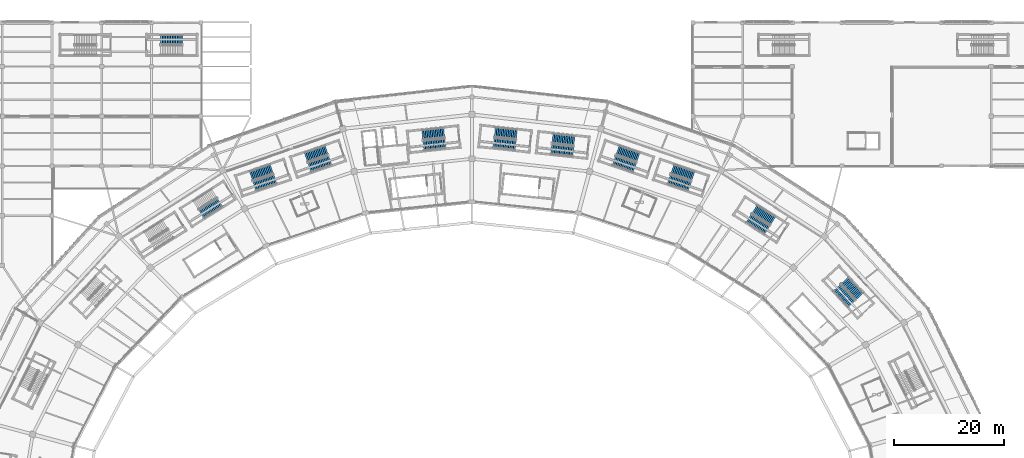
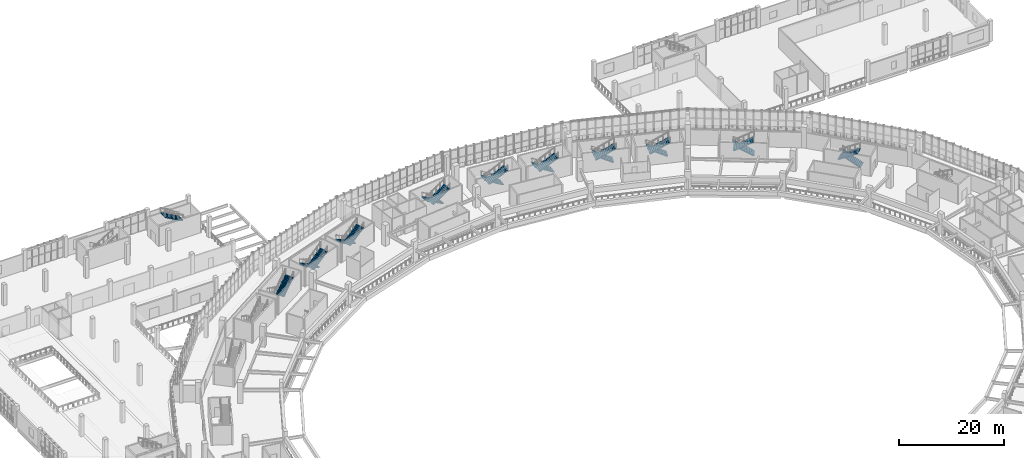
# One storey, part 117 of 179: 20 stair flights, 11 elements without a shape of their own.
"""IFC4 building model written with IfcOpenShell, lengths in metres."""

from ifc_helpers import new_model, si_unit, direction, frame, origin, place, context, subcontext, project, spatial, polyline, outline, extrude, material, type_object, element, aggregate, save


model = new_model("IFC4")

# Units and contexts
model_context = context("Model", 3, precision=1e-05, world=origin(), true_north=direction((0.0, 1.0)))
body_context = subcontext(model_context, "Body", "Model", "MODEL_VIEW")
ifc_project = project(units=[si_unit("LENGTHUNIT", "METRE"), si_unit("AREAUNIT", "SQUARE_METRE"), si_unit("VOLUMEUNIT", "CUBIC_METRE"), si_unit("PLANEANGLEUNIT", "RADIAN"), si_unit("MASSUNIT", "GRAM", prefix="KILO")], contexts=[model_context])

# Site, building, storey
site_placement = place(None, origin())
site = spatial("IfcSite", under=ifc_project, at=site_placement, CompositionType="ELEMENT")
building_placement = place(site_placement, origin())
building = spatial("IfcBuilding", under=site, at=building_placement, Name="Zevraka Park Crest Stadium", CompositionType="ELEMENT")
storey_placement = place(building_placement, frame((0.0, 0.0, 10.199951171875)))
storey = spatial("IfcBuildingStorey", under=building, at=storey_placement, Name="L02", CompositionType="ELEMENT", Elevation=10.199951171875)

# Stair, stair flights
ifc_material_1 = material(Name="Concrete C35/45", Category="concrete")
stair_type_1 = type_object("IfcStairType", Name="STA2", PredefinedType="HALF_TURN_STAIR", material=ifc_material_1)
stair_1_placement = place(storey_placement, origin())
stair_1 = element("IfcStair", 1, at=stair_1_placement, inside=storey, type_object=stair_type_1, Name="L02 Protected Concourse Exit Stair ST03", PredefinedType="HALF_TURN_STAIR")
ifc_material_2 = material(Name="Concrete C35/45", Category="concrete")
stair_flight_type_1 = type_object("IfcStairFlightType", Name="FLA2", PredefinedType="STRAIGHT", material=ifc_material_2)
stair_flight_1_placement = place(storey_placement, frame((182.212646484375, 134.396240234375, 0.0), z_axis=(0.0, 0.0, 1.0), x_axis=(-0.680255347227, 0.732975212793, 0.0)))
stair_flight_1 = element("IfcStairFlight", 2, at=stair_flight_1_placement, type_object=stair_flight_type_1, Name="ST03 flight 1", NumberOfRisers=14, NumberOfTreads=13, PredefinedType="STRAIGHT", RiserHeight=0.171428571, TreadLength=0.305, context=body_context, shape_type="SweptSolid", body=[
    extrude(outline(polyline([(0.0, 0.0), (0.0, 0.17138671875), (0.304931640625, 0.17138671875), (0.304931640625, 0.3427734375), (0.610107421875, 0.3427734375), (0.610107421875, 0.514404296875), (0.9150390625, 0.514404296875), (0.9150390625, 0.685791015625), (1.219970703125, 0.685791015625), (1.219970703125, 0.857177734375), (1.52490234375, 0.857177734375), (1.52490234375, 1.028564453125), (1.830078125, 1.028564453125), (1.830078125, 1.199951171875), (2.135009765625, 1.199951171875), (2.135009765625, 1.371337890625), (2.43994140625, 1.371337890625), (2.43994140625, 1.54296875), (2.7451171875, 1.54296875), (2.7451171875, 1.71435546875), (3.050048828125, 1.71435546875), (3.050048828125, 1.8857421875), (3.35498046875, 1.8857421875), (3.35498046875, 2.05712890625), (3.659912109375, 2.05712890625), (3.659912109375, 2.228515625), (3.965087890625, 2.228515625), (3.965087890625, 2.39990234375), (3.965087890625, 2.045166015625), (0.326416015625, 0.0), (0.0, 0.0)])), frame((0.0, 0.89990234375, 0.0), z_axis=(0.0, -1.0, 0.0), x_axis=(1.0, 0.0, 0.0)), (0.0, 0.0, 1.0), 1.800048828125),
])
stair_flight_2_placement = place(storey_placement, frame((178.078857421875, 135.96923828125, 2.400146484375), z_axis=(0.0, 0.0, 1.0), x_axis=(0.680255347227, -0.732975212793, 0.0)))
stair_flight_2 = element("IfcStairFlight", 3, at=stair_flight_2_placement, type_object=stair_flight_type_1, Name="ST03 flight 2", NumberOfRisers=14, NumberOfTreads=13, PredefinedType="STRAIGHT", RiserHeight=0.171428571, TreadLength=0.305, context=body_context, shape_type="SweptSolid", body=[
    extrude(outline(polyline([(0.0, 0.0), (0.0, 0.17138671875), (0.304931640625, 0.17138671875), (0.304931640625, 0.3427734375), (0.610107421875, 0.3427734375), (0.610107421875, 0.514404296875), (0.9150390625, 0.514404296875), (0.9150390625, 0.685791015625), (1.219970703125, 0.685791015625), (1.219970703125, 0.857177734375), (1.52490234375, 0.857177734375), (1.52490234375, 1.028564453125), (1.830078125, 1.028564453125), (1.830078125, 1.199951171875), (2.135009765625, 1.199951171875), (2.135009765625, 1.371337890625), (2.43994140625, 1.371337890625), (2.43994140625, 1.54296875), (2.7451171875, 1.54296875), (2.7451171875, 1.71435546875), (3.050048828125, 1.71435546875), (3.050048828125, 1.8857421875), (3.35498046875, 1.8857421875), (3.35498046875, 2.05712890625), (3.659912109375, 2.05712890625), (3.659912109375, 2.228515625), (3.965087890625, 2.228515625), (3.965087890625, 2.39990234375), (3.965087890625, 2.045166015625), (0.326416015625, 0.0), (0.0, 0.0)])), frame((0.0, 0.89990234375, 0.0), z_axis=(0.0, -1.0, 0.0), x_axis=(1.0, 0.0, 0.0)), (0.0, 0.0, 1.0), 1.800048828125),
])
aggregate(stair_1, [stair_flight_1, stair_flight_2])

stair_2_placement = place(storey_placement, origin())
stair_2 = element("IfcStair", 4, at=stair_2_placement, inside=storey, type_object=stair_type_1, Name="L02 Protected Concourse Exit Stair ST04", PredefinedType="HALF_TURN_STAIR")
stair_flight_3_placement = place(storey_placement, frame((166.5029296875, 148.060302734375, 0.0), z_axis=(0.0, 0.0, 1.0), x_axis=(-0.844397122829, 0.535717741874, 0.0)))
stair_flight_3 = element("IfcStairFlight", 5, at=stair_flight_3_placement, type_object=stair_flight_type_1, Name="ST04 flight 1", NumberOfRisers=14, NumberOfTreads=13, PredefinedType="STRAIGHT", RiserHeight=0.171428571, TreadLength=0.305, context=body_context, shape_type="SweptSolid", body=[
    extrude(outline(polyline([(0.0, 0.0), (0.0, 0.17138671875), (0.304931640625, 0.17138671875), (0.304931640625, 0.3427734375), (0.610107421875, 0.3427734375), (0.610107421875, 0.514404296875), (0.9150390625, 0.514404296875), (0.9150390625, 0.685791015625), (1.219970703125, 0.685791015625), (1.219970703125, 0.857177734375), (1.52490234375, 0.857177734375), (1.52490234375, 1.028564453125), (1.830078125, 1.028564453125), (1.830078125, 1.199951171875), (2.135009765625, 1.199951171875), (2.135009765625, 1.371337890625), (2.43994140625, 1.371337890625), (2.43994140625, 1.54296875), (2.7451171875, 1.54296875), (2.7451171875, 1.71435546875), (3.050048828125, 1.71435546875), (3.050048828125, 1.8857421875), (3.35498046875, 1.8857421875), (3.35498046875, 2.05712890625), (3.659912109375, 2.05712890625), (3.659912109375, 2.228515625), (3.965087890625, 2.228515625), (3.965087890625, 2.39990234375), (3.965087890625, 2.045166015625), (0.326416015625, 0.0), (0.0, 0.0)])), frame((0.0, 0.89990234375, 0.0), z_axis=(0.0, -1.0, 0.0), x_axis=(1.0, 0.0, 0.0)), (0.0, 0.0, 1.0), 1.800048828125),
])
stair_flight_4_placement = place(storey_placement, frame((162.104736328125, 148.529541015625, 2.400146484375), z_axis=(0.0, 0.0, 1.0), x_axis=(0.844397122829, -0.535717741874, 0.0)))
stair_flight_4 = element("IfcStairFlight", 6, at=stair_flight_4_placement, type_object=stair_flight_type_1, Name="ST04 flight 2", NumberOfRisers=14, NumberOfTreads=13, PredefinedType="STRAIGHT", RiserHeight=0.171428571, TreadLength=0.305, context=body_context, shape_type="SweptSolid", body=[
    extrude(outline(polyline([(0.0, 0.0), (0.0, 0.17138671875), (0.304931640625, 0.17138671875), (0.304931640625, 0.3427734375), (0.610107421875, 0.3427734375), (0.610107421875, 0.514404296875), (0.9150390625, 0.514404296875), (0.9150390625, 0.685791015625), (1.219970703125, 0.685791015625), (1.219970703125, 0.857177734375), (1.52490234375, 0.857177734375), (1.52490234375, 1.028564453125), (1.830078125, 1.028564453125), (1.830078125, 1.199951171875), (2.135009765625, 1.199951171875), (2.135009765625, 1.371337890625), (2.43994140625, 1.371337890625), (2.43994140625, 1.54296875), (2.7451171875, 1.54296875), (2.7451171875, 1.71435546875), (3.050048828125, 1.71435546875), (3.050048828125, 1.8857421875), (3.35498046875, 1.8857421875), (3.35498046875, 2.05712890625), (3.659912109375, 2.05712890625), (3.659912109375, 2.228515625), (3.965087890625, 2.228515625), (3.965087890625, 2.39990234375), (3.965087890625, 2.045166015625), (0.326416015625, 0.0), (0.0, 0.0)])), frame((0.0, 0.89990234375, 0.0), z_axis=(0.0, -1.0, 0.0), x_axis=(1.0, 0.0, 0.0)), (0.0, 0.0, 1.0), 1.800048828125),
])
aggregate(stair_2, [stair_flight_3, stair_flight_4])

stair_3_placement = place(storey_placement, origin())
stair_3 = element("IfcStair", 7, at=stair_3_placement, inside=storey, type_object=stair_type_1, Name="L02 Protected Concourse Exit Stair ST05", PredefinedType="HALF_TURN_STAIR")
stair_flight_5_placement = place(storey_placement, frame((152.057373046875, 156.154541015625, 0.0), z_axis=(0.0, 0.0, 1.0), x_axis=(-0.946066135515, 0.323973559463, 0.0)))
stair_flight_5 = element("IfcStairFlight", 8, at=stair_flight_5_placement, type_object=stair_flight_type_1, Name="ST05 flight 1", NumberOfRisers=14, NumberOfTreads=13, PredefinedType="STRAIGHT", RiserHeight=0.171428571, TreadLength=0.305, context=body_context, shape_type="SweptSolid", body=[
    extrude(outline(polyline([(0.0, 0.0), (0.0, 0.17138671875), (0.304931640625, 0.17138671875), (0.304931640625, 0.3427734375), (0.610107421875, 0.3427734375), (0.610107421875, 0.514404296875), (0.9150390625, 0.514404296875), (0.9150390625, 0.685791015625), (1.219970703125, 0.685791015625), (1.219970703125, 0.857177734375), (1.52490234375, 0.857177734375), (1.52490234375, 1.028564453125), (1.830078125, 1.028564453125), (1.830078125, 1.199951171875), (2.135009765625, 1.199951171875), (2.135009765625, 1.371337890625), (2.43994140625, 1.371337890625), (2.43994140625, 1.54296875), (2.7451171875, 1.54296875), (2.7451171875, 1.71435546875), (3.050048828125, 1.71435546875), (3.050048828125, 1.8857421875), (3.35498046875, 1.8857421875), (3.35498046875, 2.05712890625), (3.659912109375, 2.05712890625), (3.659912109375, 2.228515625), (3.965087890625, 2.228515625), (3.965087890625, 2.39990234375), (3.965087890625, 2.045166015625), (0.326416015625, 0.0), (0.0, 0.0)])), frame((0.0, 0.89990234375, 0.0), z_axis=(0.0, -1.0, 0.0), x_axis=(1.0, 0.0, 0.0)), (0.0, 0.0, 1.0), 1.800048828125),
])
stair_flight_6_placement = place(storey_placement, frame((147.671142578125, 155.584716796875, 2.400146484375), z_axis=(0.0, 0.0, 1.0), x_axis=(0.946066135515, -0.323973559463, 0.0)))
stair_flight_6 = element("IfcStairFlight", 9, at=stair_flight_6_placement, type_object=stair_flight_type_1, Name="ST05 flight 2", NumberOfRisers=14, NumberOfTreads=13, PredefinedType="STRAIGHT", RiserHeight=0.171428571, TreadLength=0.305, context=body_context, shape_type="SweptSolid", body=[
    extrude(outline(polyline([(0.0, 0.0), (0.0, 0.17138671875), (0.304931640625, 0.17138671875), (0.304931640625, 0.3427734375), (0.610107421875, 0.3427734375), (0.610107421875, 0.514404296875), (0.9150390625, 0.514404296875), (0.9150390625, 0.685791015625), (1.219970703125, 0.685791015625), (1.219970703125, 0.857177734375), (1.52490234375, 0.857177734375), (1.52490234375, 1.028564453125), (1.830078125, 1.028564453125), (1.830078125, 1.199951171875), (2.135009765625, 1.199951171875), (2.135009765625, 1.371337890625), (2.43994140625, 1.371337890625), (2.43994140625, 1.54296875), (2.7451171875, 1.54296875), (2.7451171875, 1.71435546875), (3.050048828125, 1.71435546875), (3.050048828125, 1.8857421875), (3.35498046875, 1.8857421875), (3.35498046875, 2.05712890625), (3.659912109375, 2.05712890625), (3.659912109375, 2.228515625), (3.965087890625, 2.228515625), (3.965087890625, 2.39990234375), (3.965087890625, 2.045166015625), (0.326416015625, 0.0), (0.0, 0.0)])), frame((0.0, 0.89990234375, 0.0), z_axis=(0.0, -1.0, 0.0), x_axis=(1.0, 0.0, 0.0)), (0.0, 0.0, 1.0), 1.800048828125),
])
aggregate(stair_3, [stair_flight_5, stair_flight_6])

stair_4_placement = place(storey_placement, origin())
stair_4 = element("IfcStair", 10, at=stair_4_placement, inside=storey, type_object=stair_type_1, Name="L02 Protected Concourse Exit Stair ST06", PredefinedType="HALF_TURN_STAIR")
stair_flight_7_placement = place(storey_placement, frame((130.545166015625, 162.56689453125, 0.0), z_axis=(0.0, 0.0, 1.0), x_axis=(-0.994127567381, 0.108214508149, 0.0)))
stair_flight_7 = element("IfcStairFlight", 11, at=stair_flight_7_placement, type_object=stair_flight_type_1, Name="ST06 flight 1", NumberOfRisers=14, NumberOfTreads=13, PredefinedType="STRAIGHT", RiserHeight=0.171428571, TreadLength=0.305, context=body_context, shape_type="SweptSolid", body=[
    extrude(outline(polyline([(0.0, 0.0), (0.0, 0.17138671875), (0.304931640625, 0.17138671875), (0.304931640625, 0.3427734375), (0.610107421875, 0.3427734375), (0.610107421875, 0.514404296875), (0.9150390625, 0.514404296875), (0.9150390625, 0.685791015625), (1.219970703125, 0.685791015625), (1.219970703125, 0.857177734375), (1.52490234375, 0.857177734375), (1.52490234375, 1.028564453125), (1.830078125, 1.028564453125), (1.830078125, 1.199951171875), (2.135009765625, 1.199951171875), (2.135009765625, 1.371337890625), (2.43994140625, 1.371337890625), (2.43994140625, 1.54296875), (2.7451171875, 1.54296875), (2.7451171875, 1.71435546875), (3.050048828125, 1.71435546875), (3.050048828125, 1.8857421875), (3.35498046875, 1.8857421875), (3.35498046875, 2.05712890625), (3.659912109375, 2.05712890625), (3.659912109375, 2.228515625), (3.965087890625, 2.228515625), (3.965087890625, 2.39990234375), (3.965087890625, 2.045166015625), (0.326416015625, 0.0), (0.0, 0.0)])), frame((0.0, 0.89990234375, 0.0), z_axis=(0.0, -1.0, 0.0), x_axis=(1.0, 0.0, 0.0)), (0.0, 0.0, 1.0), 1.800048828125),
])
stair_flight_8_placement = place(storey_placement, frame((126.391357421875, 161.04736328125, 2.400146484375), z_axis=(0.0, 0.0, 1.0), x_axis=(0.994127567381, -0.108214508149, 0.0)))
stair_flight_8 = element("IfcStairFlight", 12, at=stair_flight_8_placement, type_object=stair_flight_type_1, Name="ST06 flight 2", NumberOfRisers=14, NumberOfTreads=13, PredefinedType="STRAIGHT", RiserHeight=0.171428571, TreadLength=0.305, context=body_context, shape_type="SweptSolid", body=[
    extrude(outline(polyline([(0.0, 0.0), (0.0, 0.17138671875), (0.304931640625, 0.17138671875), (0.304931640625, 0.3427734375), (0.610107421875, 0.3427734375), (0.610107421875, 0.514404296875), (0.9150390625, 0.514404296875), (0.9150390625, 0.685791015625), (1.219970703125, 0.685791015625), (1.219970703125, 0.857177734375), (1.52490234375, 0.857177734375), (1.52490234375, 1.028564453125), (1.830078125, 1.028564453125), (1.830078125, 1.199951171875), (2.135009765625, 1.199951171875), (2.135009765625, 1.371337890625), (2.43994140625, 1.371337890625), (2.43994140625, 1.54296875), (2.7451171875, 1.54296875), (2.7451171875, 1.71435546875), (3.050048828125, 1.71435546875), (3.050048828125, 1.8857421875), (3.35498046875, 1.8857421875), (3.35498046875, 2.05712890625), (3.659912109375, 2.05712890625), (3.659912109375, 2.228515625), (3.965087890625, 2.228515625), (3.965087890625, 2.39990234375), (3.965087890625, 2.045166015625), (0.326416015625, 0.0), (0.0, 0.0)])), frame((0.0, 0.89990234375, 0.0), z_axis=(0.0, -1.0, 0.0), x_axis=(1.0, 0.0, 0.0)), (0.0, 0.0, 1.0), 1.800048828125),
])
aggregate(stair_4, [stair_flight_7, stair_flight_8])

stair_5_placement = place(storey_placement, origin())
stair_5 = element("IfcStair", 13, at=stair_5_placement, inside=storey, type_object=stair_type_1, Name="L02 Protected Concourse Exit Stair ST07", PredefinedType="HALF_TURN_STAIR")
stair_flight_9_placement = place(storey_placement, frame((106.97509765625, 164.038818359375, 0.0), z_axis=(0.0, 0.0, 1.0), x_axis=(-0.994127567381, -0.108214508149, 0.0)))
stair_flight_9 = element("IfcStairFlight", 14, at=stair_flight_9_placement, type_object=stair_flight_type_1, Name="ST07 flight 1", NumberOfRisers=14, NumberOfTreads=13, PredefinedType="STRAIGHT", RiserHeight=0.171428571, TreadLength=0.305, context=body_context, shape_type="SweptSolid", body=[
    extrude(outline(polyline([(0.0, 0.0), (0.0, 0.17138671875), (0.304931640625, 0.17138671875), (0.304931640625, 0.3427734375), (0.610107421875, 0.3427734375), (0.610107421875, 0.514404296875), (0.9150390625, 0.514404296875), (0.9150390625, 0.685791015625), (1.219970703125, 0.685791015625), (1.219970703125, 0.857177734375), (1.52490234375, 0.857177734375), (1.52490234375, 1.028564453125), (1.830078125, 1.028564453125), (1.830078125, 1.199951171875), (2.135009765625, 1.199951171875), (2.135009765625, 1.371337890625), (2.43994140625, 1.371337890625), (2.43994140625, 1.54296875), (2.7451171875, 1.54296875), (2.7451171875, 1.71435546875), (3.050048828125, 1.71435546875), (3.050048828125, 1.8857421875), (3.35498046875, 1.8857421875), (3.35498046875, 2.05712890625), (3.659912109375, 2.05712890625), (3.659912109375, 2.228515625), (3.965087890625, 2.228515625), (3.965087890625, 2.39990234375), (3.965087890625, 2.045166015625), (0.326416015625, 0.0), (0.0, 0.0)])), frame((0.0, 0.89990234375, 0.0), z_axis=(0.0, -1.0, 0.0), x_axis=(1.0, 0.0, 0.0)), (0.0, 0.0, 1.0), 1.800048828125),
])
stair_flight_10_placement = place(storey_placement, frame((103.245361328125, 161.6611328125, 2.400146484375), z_axis=(0.0, 0.0, 1.0), x_axis=(0.994127567381, 0.108214508149, 0.0)))
stair_flight_10 = element("IfcStairFlight", 15, at=stair_flight_10_placement, type_object=stair_flight_type_1, Name="ST07 flight 2", NumberOfRisers=14, NumberOfTreads=13, PredefinedType="STRAIGHT", RiserHeight=0.171428571, TreadLength=0.305, context=body_context, shape_type="SweptSolid", body=[
    extrude(outline(polyline([(0.0, 0.0), (0.0, 0.17138671875), (0.304931640625, 0.17138671875), (0.304931640625, 0.3427734375), (0.610107421875, 0.3427734375), (0.610107421875, 0.514404296875), (0.9150390625, 0.514404296875), (0.9150390625, 0.685791015625), (1.219970703125, 0.685791015625), (1.219970703125, 0.857177734375), (1.52490234375, 0.857177734375), (1.52490234375, 1.028564453125), (1.830078125, 1.028564453125), (1.830078125, 1.199951171875), (2.135009765625, 1.199951171875), (2.135009765625, 1.371337890625), (2.43994140625, 1.371337890625), (2.43994140625, 1.54296875), (2.7451171875, 1.54296875), (2.7451171875, 1.71435546875), (3.050048828125, 1.71435546875), (3.050048828125, 1.8857421875), (3.35498046875, 1.8857421875), (3.35498046875, 2.05712890625), (3.659912109375, 2.05712890625), (3.659912109375, 2.228515625), (3.965087890625, 2.228515625), (3.965087890625, 2.39990234375), (3.965087890625, 2.045166015625), (0.326416015625, 0.0), (0.0, 0.0)])), frame((0.0, 0.89990234375, 0.0), z_axis=(0.0, -1.0, 0.0), x_axis=(1.0, 0.0, 0.0)), (0.0, 0.0, 1.0), 1.800048828125),
])
aggregate(stair_5, [stair_flight_9, stair_flight_10])

stair_6_placement = place(storey_placement, origin())
stair_6 = element("IfcStair", 16, at=stair_6_placement, inside=storey, type_object=stair_type_1, Name="L02 Protected Concourse Exit Stair ST08", PredefinedType="HALF_TURN_STAIR")
stair_flight_11_placement = place(storey_placement, frame((85.70849609375, 160.86767578125, 0.0), z_axis=(0.0, 0.0, 1.0), x_axis=(-0.946066135515, -0.323973559463, 0.0)))
stair_flight_11 = element("IfcStairFlight", 17, at=stair_flight_11_placement, type_object=stair_flight_type_1, Name="ST08 flight 1", NumberOfRisers=14, NumberOfTreads=13, PredefinedType="STRAIGHT", RiserHeight=0.171428571, TreadLength=0.305, context=body_context, shape_type="SweptSolid", body=[
    extrude(outline(polyline([(0.0, 0.0), (0.0, 0.17138671875), (0.304931640625, 0.17138671875), (0.304931640625, 0.3427734375), (0.610107421875, 0.3427734375), (0.610107421875, 0.514404296875), (0.9150390625, 0.514404296875), (0.9150390625, 0.685791015625), (1.219970703125, 0.685791015625), (1.219970703125, 0.857177734375), (1.52490234375, 0.857177734375), (1.52490234375, 1.028564453125), (1.830078125, 1.028564453125), (1.830078125, 1.199951171875), (2.135009765625, 1.199951171875), (2.135009765625, 1.371337890625), (2.43994140625, 1.371337890625), (2.43994140625, 1.54296875), (2.7451171875, 1.54296875), (2.7451171875, 1.71435546875), (3.050048828125, 1.71435546875), (3.050048828125, 1.8857421875), (3.35498046875, 1.8857421875), (3.35498046875, 2.05712890625), (3.659912109375, 2.05712890625), (3.659912109375, 2.228515625), (3.965087890625, 2.228515625), (3.965087890625, 2.39990234375), (3.965087890625, 2.045166015625), (0.326416015625, 0.0), (0.0, 0.0)])), frame((0.0, 0.89990234375, 0.0), z_axis=(0.0, -1.0, 0.0), x_axis=(1.0, 0.0, 0.0)), (0.0, 0.0, 1.0), 1.800048828125),
])
stair_flight_12_placement = place(storey_placement, frame((82.59228515625, 157.728759765625, 2.400146484375), z_axis=(0.0, 0.0, 1.0), x_axis=(0.946066135515, 0.323973559463, 0.0)))
stair_flight_12 = element("IfcStairFlight", 18, at=stair_flight_12_placement, type_object=stair_flight_type_1, Name="ST08 flight 2", NumberOfRisers=14, NumberOfTreads=13, PredefinedType="STRAIGHT", RiserHeight=0.171428571, TreadLength=0.305, context=body_context, shape_type="SweptSolid", body=[
    extrude(outline(polyline([(0.0, 0.0), (0.0, 0.17138671875), (0.304931640625, 0.17138671875), (0.304931640625, 0.3427734375), (0.610107421875, 0.3427734375), (0.610107421875, 0.514404296875), (0.9150390625, 0.514404296875), (0.9150390625, 0.685791015625), (1.219970703125, 0.685791015625), (1.219970703125, 0.857177734375), (1.52490234375, 0.857177734375), (1.52490234375, 1.028564453125), (1.830078125, 1.028564453125), (1.830078125, 1.199951171875), (2.135009765625, 1.199951171875), (2.135009765625, 1.371337890625), (2.43994140625, 1.371337890625), (2.43994140625, 1.54296875), (2.7451171875, 1.54296875), (2.7451171875, 1.71435546875), (3.050048828125, 1.71435546875), (3.050048828125, 1.8857421875), (3.35498046875, 1.8857421875), (3.35498046875, 2.05712890625), (3.659912109375, 2.05712890625), (3.659912109375, 2.228515625), (3.965087890625, 2.228515625), (3.965087890625, 2.39990234375), (3.965087890625, 2.045166015625), (0.326416015625, 0.0), (0.0, 0.0)])), frame((0.0, 0.89990234375, 0.0), z_axis=(0.0, -1.0, 0.0), x_axis=(1.0, 0.0, 0.0)), (0.0, 0.0, 1.0), 1.800048828125),
])
aggregate(stair_6, [stair_flight_11, stair_flight_12])

# Stair, stair flight
stair_7_placement = place(storey_placement, origin())
stair_7 = element("IfcStair", 19, at=stair_7_placement, inside=storey, type_object=stair_type_1, Name="L02 Protected Concourse Exit Stair ST09", PredefinedType="HALF_TURN_STAIR")
stair_flight_13_placement = place(storey_placement, frame((63.05224609375, 149.263671875, 2.400146484375), z_axis=(0.0, 0.0, 1.0), x_axis=(0.844397122829, 0.535717741874, 0.0)))
stair_flight_13 = element("IfcStairFlight", 20, at=stair_flight_13_placement, type_object=stair_flight_type_1, Name="ST09 flight 2", NumberOfRisers=14, NumberOfTreads=13, PredefinedType="STRAIGHT", RiserHeight=0.171428571, TreadLength=0.305, context=body_context, shape_type="SweptSolid", body=[
    extrude(outline(polyline([(0.0, 0.0), (0.0, 0.17138671875), (0.304931640625, 0.17138671875), (0.304931640625, 0.3427734375), (0.610107421875, 0.3427734375), (0.610107421875, 0.514404296875), (0.9150390625, 0.514404296875), (0.9150390625, 0.685791015625), (1.219970703125, 0.685791015625), (1.219970703125, 0.857177734375), (1.52490234375, 0.857177734375), (1.52490234375, 1.028564453125), (1.830078125, 1.028564453125), (1.830078125, 1.199951171875), (2.135009765625, 1.199951171875), (2.135009765625, 1.371337890625), (2.43994140625, 1.371337890625), (2.43994140625, 1.54296875), (2.7451171875, 1.54296875), (2.7451171875, 1.71435546875), (3.050048828125, 1.71435546875), (3.050048828125, 1.8857421875), (3.35498046875, 1.8857421875), (3.35498046875, 2.05712890625), (3.659912109375, 2.05712890625), (3.659912109375, 2.228515625), (3.965087890625, 2.228515625), (3.965087890625, 2.39990234375), (3.965087890625, 2.045166015625), (0.326416015625, 0.0), (0.0, 0.0)])), frame((0.0, 0.89990234375, 0.0), z_axis=(0.0, -1.0, 0.0), x_axis=(1.0, 0.0, 0.0)), (0.0, 0.0, 1.0), 1.800048828125),
])
aggregate(stair_7, [stair_flight_13])

# Stair, stair flights
stair_8_placement = place(storey_placement, origin())
stair_8 = element("IfcStair", 21, at=stair_8_placement, inside=storey, type_object=stair_type_1, Name="L02 Protected Paired Concourse Exit Stair ST25", PredefinedType="HALF_TURN_STAIR")
stair_flight_14_placement = place(storey_placement, frame((142.123291015625, 159.555419921875, 0.0), z_axis=(0.0, 0.0, 1.0), x_axis=(-0.946066135515, 0.323973559463, 0.0)))
stair_flight_14 = element("IfcStairFlight", 22, at=stair_flight_14_placement, type_object=stair_flight_type_1, Name="ST25 flight 1", NumberOfRisers=14, NumberOfTreads=13, PredefinedType="STRAIGHT", RiserHeight=0.171428571, TreadLength=0.305, context=body_context, shape_type="SweptSolid", body=[
    extrude(outline(polyline([(0.0, 0.0), (0.0, 0.17138671875), (0.304931640625, 0.17138671875), (0.304931640625, 0.3427734375), (0.610107421875, 0.3427734375), (0.610107421875, 0.514404296875), (0.9150390625, 0.514404296875), (0.9150390625, 0.685791015625), (1.219970703125, 0.685791015625), (1.219970703125, 0.857177734375), (1.52490234375, 0.857177734375), (1.52490234375, 1.028564453125), (1.830078125, 1.028564453125), (1.830078125, 1.199951171875), (2.135009765625, 1.199951171875), (2.135009765625, 1.371337890625), (2.43994140625, 1.371337890625), (2.43994140625, 1.54296875), (2.7451171875, 1.54296875), (2.7451171875, 1.71435546875), (3.050048828125, 1.71435546875), (3.050048828125, 1.8857421875), (3.35498046875, 1.8857421875), (3.35498046875, 2.05712890625), (3.659912109375, 2.05712890625), (3.659912109375, 2.228515625), (3.965087890625, 2.228515625), (3.965087890625, 2.39990234375), (3.965087890625, 2.045166015625), (0.326416015625, 0.0), (0.0, 0.0)])), frame((0.0, 0.89990234375, 0.0), z_axis=(0.0, -1.0, 0.0), x_axis=(1.0, 0.0, 0.0)), (0.0, 0.0, 1.0), 1.800048828125),
])
stair_flight_15_placement = place(storey_placement, frame((137.737060546875, 158.98583984375, 2.400146484375), z_axis=(0.0, 0.0, 1.0), x_axis=(0.946066135515, -0.323973559463, 0.0)))
stair_flight_15 = element("IfcStairFlight", 23, at=stair_flight_15_placement, type_object=stair_flight_type_1, Name="ST25 flight 2", NumberOfRisers=14, NumberOfTreads=13, PredefinedType="STRAIGHT", RiserHeight=0.171428571, TreadLength=0.305, context=body_context, shape_type="SweptSolid", body=[
    extrude(outline(polyline([(0.0, 0.0), (0.0, 0.17138671875), (0.304931640625, 0.17138671875), (0.304931640625, 0.3427734375), (0.610107421875, 0.3427734375), (0.610107421875, 0.514404296875), (0.9150390625, 0.514404296875), (0.9150390625, 0.685791015625), (1.219970703125, 0.685791015625), (1.219970703125, 0.857177734375), (1.52490234375, 0.857177734375), (1.52490234375, 1.028564453125), (1.830078125, 1.028564453125), (1.830078125, 1.199951171875), (2.135009765625, 1.199951171875), (2.135009765625, 1.371337890625), (2.43994140625, 1.371337890625), (2.43994140625, 1.54296875), (2.7451171875, 1.54296875), (2.7451171875, 1.71435546875), (3.050048828125, 1.71435546875), (3.050048828125, 1.8857421875), (3.35498046875, 1.8857421875), (3.35498046875, 2.05712890625), (3.659912109375, 2.05712890625), (3.659912109375, 2.228515625), (3.965087890625, 2.228515625), (3.965087890625, 2.39990234375), (3.965087890625, 2.045166015625), (0.326416015625, 0.0), (0.0, 0.0)])), frame((0.0, 0.89990234375, 0.0), z_axis=(0.0, -1.0, 0.0), x_axis=(1.0, 0.0, 0.0)), (0.0, 0.0, 1.0), 1.800048828125),
])
aggregate(stair_8, [stair_flight_14, stair_flight_15])

stair_9_placement = place(storey_placement, origin())
stair_9 = element("IfcStair", 24, at=stair_9_placement, inside=storey, type_object=stair_type_1, Name="L02 Protected Paired Concourse Exit Stair ST26", PredefinedType="HALF_TURN_STAIR")
stair_flight_16_placement = place(storey_placement, frame((120.107177734375, 163.702880859375, 0.0), z_axis=(0.0, 0.0, 1.0), x_axis=(-0.994127567381, 0.108214508149, 0.0)))
stair_flight_16 = element("IfcStairFlight", 25, at=stair_flight_16_placement, type_object=stair_flight_type_1, Name="ST26 flight 1", NumberOfRisers=14, NumberOfTreads=13, PredefinedType="STRAIGHT", RiserHeight=0.171428571, TreadLength=0.305, context=body_context, shape_type="SweptSolid", body=[
    extrude(outline(polyline([(0.0, 0.0), (0.0, 0.17138671875), (0.304931640625, 0.17138671875), (0.304931640625, 0.3427734375), (0.610107421875, 0.3427734375), (0.610107421875, 0.514404296875), (0.9150390625, 0.514404296875), (0.9150390625, 0.685791015625), (1.219970703125, 0.685791015625), (1.219970703125, 0.857177734375), (1.52490234375, 0.857177734375), (1.52490234375, 1.028564453125), (1.830078125, 1.028564453125), (1.830078125, 1.199951171875), (2.135009765625, 1.199951171875), (2.135009765625, 1.371337890625), (2.43994140625, 1.371337890625), (2.43994140625, 1.54296875), (2.7451171875, 1.54296875), (2.7451171875, 1.71435546875), (3.050048828125, 1.71435546875), (3.050048828125, 1.8857421875), (3.35498046875, 1.8857421875), (3.35498046875, 2.05712890625), (3.659912109375, 2.05712890625), (3.659912109375, 2.228515625), (3.965087890625, 2.228515625), (3.965087890625, 2.39990234375), (3.965087890625, 2.045166015625), (0.326416015625, 0.0), (0.0, 0.0)])), frame((0.0, 0.89990234375, 0.0), z_axis=(0.0, -1.0, 0.0), x_axis=(1.0, 0.0, 0.0)), (0.0, 0.0, 1.0), 1.800048828125),
])
stair_flight_17_placement = place(storey_placement, frame((115.953369140625, 162.183349609375, 2.400146484375), z_axis=(0.0, 0.0, 1.0), x_axis=(0.994127567381, -0.108214508149, 0.0)))
stair_flight_17 = element("IfcStairFlight", 26, at=stair_flight_17_placement, type_object=stair_flight_type_1, Name="ST26 flight 2", NumberOfRisers=14, NumberOfTreads=13, PredefinedType="STRAIGHT", RiserHeight=0.171428571, TreadLength=0.305, context=body_context, shape_type="SweptSolid", body=[
    extrude(outline(polyline([(0.0, 0.0), (0.0, 0.17138671875), (0.304931640625, 0.17138671875), (0.304931640625, 0.3427734375), (0.610107421875, 0.3427734375), (0.610107421875, 0.514404296875), (0.9150390625, 0.514404296875), (0.9150390625, 0.685791015625), (1.219970703125, 0.685791015625), (1.219970703125, 0.857177734375), (1.52490234375, 0.857177734375), (1.52490234375, 1.028564453125), (1.830078125, 1.028564453125), (1.830078125, 1.199951171875), (2.135009765625, 1.199951171875), (2.135009765625, 1.371337890625), (2.43994140625, 1.371337890625), (2.43994140625, 1.54296875), (2.7451171875, 1.54296875), (2.7451171875, 1.71435546875), (3.050048828125, 1.71435546875), (3.050048828125, 1.8857421875), (3.35498046875, 1.8857421875), (3.35498046875, 2.05712890625), (3.659912109375, 2.05712890625), (3.659912109375, 2.228515625), (3.965087890625, 2.228515625), (3.965087890625, 2.39990234375), (3.965087890625, 2.045166015625), (0.326416015625, 0.0), (0.0, 0.0)])), frame((0.0, 0.89990234375, 0.0), z_axis=(0.0, -1.0, 0.0), x_axis=(1.0, 0.0, 0.0)), (0.0, 0.0, 1.0), 1.800048828125),
])
aggregate(stair_9, [stair_flight_16, stair_flight_17])

stair_10_placement = place(storey_placement, origin())
stair_10 = element("IfcStair", 27, at=stair_10_placement, inside=storey, type_object=stair_type_1, Name="L02 Protected Paired Concourse Exit Stair ST27", PredefinedType="HALF_TURN_STAIR")
stair_flight_18_placement = place(storey_placement, frame((75.7744140625, 157.466552734375, 0.0), z_axis=(0.0, 0.0, 1.0), x_axis=(-0.946066135515, -0.323973559463, 0.0)))
stair_flight_18 = element("IfcStairFlight", 28, at=stair_flight_18_placement, type_object=stair_flight_type_1, Name="ST27 flight 1", NumberOfRisers=14, NumberOfTreads=13, PredefinedType="STRAIGHT", RiserHeight=0.171428571, TreadLength=0.305, context=body_context, shape_type="SweptSolid", body=[
    extrude(outline(polyline([(0.0, 0.0), (0.0, 0.17138671875), (0.304931640625, 0.17138671875), (0.304931640625, 0.3427734375), (0.610107421875, 0.3427734375), (0.610107421875, 0.514404296875), (0.9150390625, 0.514404296875), (0.9150390625, 0.685791015625), (1.219970703125, 0.685791015625), (1.219970703125, 0.857177734375), (1.52490234375, 0.857177734375), (1.52490234375, 1.028564453125), (1.830078125, 1.028564453125), (1.830078125, 1.199951171875), (2.135009765625, 1.199951171875), (2.135009765625, 1.371337890625), (2.43994140625, 1.371337890625), (2.43994140625, 1.54296875), (2.7451171875, 1.54296875), (2.7451171875, 1.71435546875), (3.050048828125, 1.71435546875), (3.050048828125, 1.8857421875), (3.35498046875, 1.8857421875), (3.35498046875, 2.05712890625), (3.659912109375, 2.05712890625), (3.659912109375, 2.228515625), (3.965087890625, 2.228515625), (3.965087890625, 2.39990234375), (3.965087890625, 2.045166015625), (0.326416015625, 0.0), (0.0, 0.0)])), frame((0.0, 0.89990234375, 0.0), z_axis=(0.0, -1.0, 0.0), x_axis=(1.0, 0.0, 0.0)), (0.0, 0.0, 1.0), 1.800048828125),
])
stair_flight_19_placement = place(storey_placement, frame((72.658203125, 154.327880859375, 2.400146484375), z_axis=(0.0, 0.0, 1.0), x_axis=(0.946066135515, 0.323973559463, 0.0)))
stair_flight_19 = element("IfcStairFlight", 29, at=stair_flight_19_placement, type_object=stair_flight_type_1, Name="ST27 flight 2", NumberOfRisers=14, NumberOfTreads=13, PredefinedType="STRAIGHT", RiserHeight=0.171428571, TreadLength=0.305, context=body_context, shape_type="SweptSolid", body=[
    extrude(outline(polyline([(0.0, 0.0), (0.0, 0.17138671875), (0.304931640625, 0.17138671875), (0.304931640625, 0.3427734375), (0.610107421875, 0.3427734375), (0.610107421875, 0.514404296875), (0.9150390625, 0.514404296875), (0.9150390625, 0.685791015625), (1.219970703125, 0.685791015625), (1.219970703125, 0.857177734375), (1.52490234375, 0.857177734375), (1.52490234375, 1.028564453125), (1.830078125, 1.028564453125), (1.830078125, 1.199951171875), (2.135009765625, 1.199951171875), (2.135009765625, 1.371337890625), (2.43994140625, 1.371337890625), (2.43994140625, 1.54296875), (2.7451171875, 1.54296875), (2.7451171875, 1.71435546875), (3.050048828125, 1.71435546875), (3.050048828125, 1.8857421875), (3.35498046875, 1.8857421875), (3.35498046875, 2.05712890625), (3.659912109375, 2.05712890625), (3.659912109375, 2.228515625), (3.965087890625, 2.228515625), (3.965087890625, 2.39990234375), (3.965087890625, 2.045166015625), (0.326416015625, 0.0), (0.0, 0.0)])), frame((0.0, 0.89990234375, 0.0), z_axis=(0.0, -1.0, 0.0), x_axis=(1.0, 0.0, 0.0)), (0.0, 0.0, 1.0), 1.800048828125),
])
aggregate(stair_10, [stair_flight_18, stair_flight_19])

# Stair, stair flight
ifc_material_3 = material(Name="Concrete C35/45", Category="concrete")
stair_type_2 = type_object("IfcStairType", Name="STC2", PredefinedType="HALF_TURN_STAIR", material=ifc_material_3)
stair_11_placement = place(storey_placement, origin())
stair_11 = element("IfcStair", 30, at=stair_11_placement, inside=storey, type_object=stair_type_2, Name="L02 Garden Court Arcade East Stair ST50", PredefinedType="HALF_TURN_STAIR")
ifc_material_4 = material(Name="Concrete C35/45", Category="concrete")
stair_flight_type_2 = type_object("IfcStairFlightType", Name="FLC2", PredefinedType="STRAIGHT", material=ifc_material_4)
stair_flight_20_placement = place(storey_placement, frame((59.614990234375, 180.875, 2.400146484375), z_axis=(0.0, 0.0, 1.0), x_axis=(-1.0, 0.0, 0.0)))
stair_flight_20 = element("IfcStairFlight", 31, at=stair_flight_20_placement, type_object=stair_flight_type_2, Name="ST50 flight 2", NumberOfRisers=14, NumberOfTreads=13, PredefinedType="STRAIGHT", RiserHeight=0.171428571, TreadLength=0.305, context=body_context, shape_type="SweptSolid", body=[
    extrude(outline(polyline([(0.0, 0.0), (0.0, 0.17138671875), (0.304931640625, 0.17138671875), (0.304931640625, 0.3427734375), (0.610107421875, 0.3427734375), (0.610107421875, 0.514404296875), (0.9150390625, 0.514404296875), (0.9150390625, 0.685791015625), (1.219970703125, 0.685791015625), (1.219970703125, 0.857177734375), (1.52490234375, 0.857177734375), (1.52490234375, 1.028564453125), (1.830078125, 1.028564453125), (1.830078125, 1.199951171875), (2.135009765625, 1.199951171875), (2.135009765625, 1.371337890625), (2.43994140625, 1.371337890625), (2.43994140625, 1.54296875), (2.7451171875, 1.54296875), (2.7451171875, 1.71435546875), (3.050048828125, 1.71435546875), (3.050048828125, 1.8857421875), (3.35498046875, 1.8857421875), (3.35498046875, 2.05712890625), (3.659912109375, 2.05712890625), (3.659912109375, 2.228515625), (3.965087890625, 2.228515625), (3.965087890625, 2.39990234375), (3.965087890625, 2.045166015625), (0.326416015625, 0.0), (0.0, 0.0)])), frame((0.0, 0.875, 0.0), z_axis=(0.0, -1.0, 0.0), x_axis=(1.0, 0.0, 0.0)), (0.0, 0.0, 1.0), 1.75),
])
aggregate(stair_11, [stair_flight_20])

save(model, "model.ifc")
